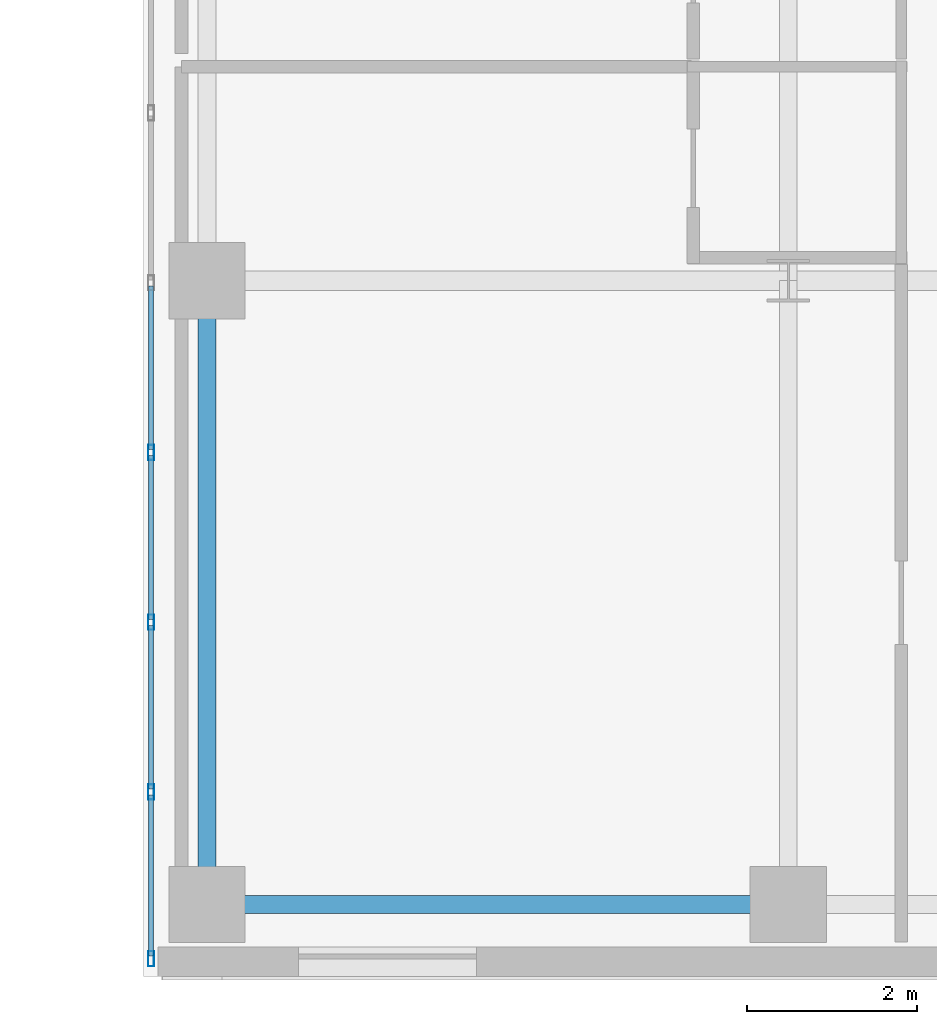
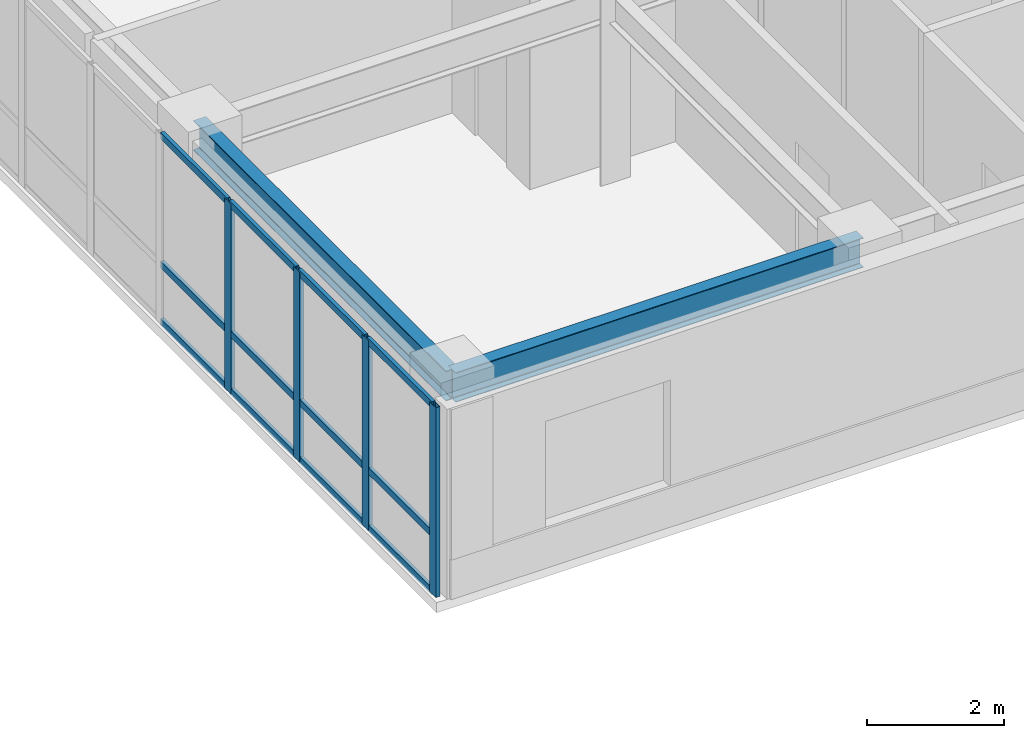
# One storey, part 7 of 24: 16 members, 2 beams, 1 element without a shape of its own.
"""IFC4 building model written with IfcOpenShell, lengths in metres."""

from ifc_helpers import new_model, si_unit, direction, frame, origin, origin_2d, place, context, subcontext, project, spatial, hollow_rectangle, i_section, extrude, source, transform, mapped, material, layer, layer_set, material_profile, profile_set, type_object, type_shapes, element, aggregate, save


model = new_model("IFC4")

# Units and contexts
model_context = context("Model", 3, precision=1e-05, world=origin(), true_north=direction((0.0, 1.0)))
body_context = subcontext(model_context, "Body", "Model", "MODEL_VIEW")
ifc_project = project(units=[si_unit("LENGTHUNIT", "METRE"), si_unit("AREAUNIT", "SQUARE_METRE"), si_unit("VOLUMEUNIT", "CUBIC_METRE"), si_unit("PLANEANGLEUNIT", "RADIAN"), si_unit("MASSUNIT", "GRAM", prefix="KILO")], contexts=[model_context])

# Site, building, storey
site_placement = place(None, origin())
site = spatial("IfcSite", under=ifc_project, at=site_placement, CompositionType="ELEMENT")
building_placement = place(site_placement, origin())
building = spatial("IfcBuilding", under=site, at=building_placement, Name="Tolvann Quenvar Hotel", CompositionType="ELEMENT")
storey_placement = place(building_placement, frame((0.0, 0.0, 139.949951171875)))
storey = spatial("IfcBuildingStorey", under=building, at=storey_placement, Name="L36", CompositionType="ELEMENT", Elevation=139.949951171875)

# Beams
ifc_material_1 = material(Name="Steel Grade 350", Category="steel")
ifc_material_profile_1 = material_profile(ifc_material_1, i_section(OverallWidth=0.208984375, OverallDepth=0.528076171875, WebThickness=0.009521484375, FlangeThickness=0.01318359375, FilletRadius=0.013916015625, at=origin_2d()), Name="530UB82")
ifc_profile_set_1 = profile_set([ifc_material_profile_1], Name="Steel Grade 350")
beam_type_1 = type_object("IfcBeamType", Name="BM_SPAND_530UB82", PredefinedType="SPANDREL", material=ifc_profile_set_1)
shared_shape_1 = source(origin(), body_context, "Body", "SweptSolid", [
    extrude(i_section(OverallWidth=0.208984375, OverallDepth=0.528076171875, WebThickness=0.009521484375, FlangeThickness=0.01318359375, FilletRadius=0.013916015625, at=origin_2d()), origin(), (0.0, 0.0, 1.0), 6.85009765625),
])
type_shapes(beam_type_1, [shared_shape_1])
beam_1_placement = place(storey_placement, frame((34.949951171875, 0.85009765625, 3.10595703125), z_axis=(1.0, 0.0, 0.0), x_axis=(0.0, 1.0, 0.0)))
element("IfcBeam", 1, at=beam_1_placement, inside=storey, type_object=beam_type_1, Name="BM-L36-EW-2-F2-H2", PredefinedType="SPANDREL", context=body_context, shape_type="MappedRepresentation", body=[
    mapped(shared_shape_1, transform((0.0, 0.0, 0.0), x_axis=(1.0, 0.0, 0.0), y_axis=(0.0, 1.0, 0.0), z_axis=(0.0, 0.0, 1.0), scale=1.0)),
])
ifc_material_profile_2 = material_profile(ifc_material_1, i_section(OverallWidth=0.208984375, OverallDepth=0.532958984375, WebThickness=0.01025390625, FlangeThickness=0.015625, FilletRadius=0.013916015625, at=origin_2d()), Name="530UB92")
ifc_profile_set_2 = profile_set([ifc_material_profile_2], Name="Steel Grade 350")
beam_type_2 = type_object("IfcBeamType", Name="BM_GIRD_530UB92", PredefinedType="BEAM", material=ifc_profile_set_2)
shared_shape_2 = source(origin(), body_context, "Body", "SweptSolid", [
    extrude(i_section(OverallWidth=0.208984375, OverallDepth=0.532958984375, WebThickness=0.01025390625, FlangeThickness=0.015625, FilletRadius=0.013916015625, at=origin_2d()), origin(), (0.0, 0.0, 1.0), 7.349853515625),
])
type_shapes(beam_type_2, [shared_shape_2])
beam_2_placement = place(storey_placement, frame((34.949951171875, 0.85009765625, 3.103515625), z_axis=(0.0, 1.0, 0.0), x_axis=(-1.0, 0.0, 0.0)))
element("IfcBeam", 2, at=beam_2_placement, inside=storey, type_object=beam_type_2, Name="BM-L36-NS-F2-F3", PredefinedType="BEAM", context=body_context, shape_type="MappedRepresentation", body=[
    mapped(shared_shape_2, transform((0.0, 0.0, 0.0), x_axis=(1.0, 0.0, 0.0), y_axis=(0.0, 1.0, 0.0), z_axis=(0.0, 0.0, 1.0), scale=1.0)),
])

# Curtain wall, members
ifc_material_2 = material(Name="Thermally broken anodised architectural aluminium 6063-T6 and laminated low-E glass", Category="aluminium")
ifc_layer = layer(ifc_material_2, 0.179931640625)
ifc_layer_set = layer_set([ifc_layer], Name="Thermally broken anodised architectural aluminium 6063-T6 and laminated low-E glass")
curtain_wall_type = type_object("IfcCurtainWallType", Name="CW_SYS_SLOT_03", PredefinedType="USERDEFINED", material=ifc_layer_set)
curtain_wall_placement = place(storey_placement, origin())
curtain_wall = element("IfcCurtainWall", 3, at=curtain_wall_placement, inside=storey, type_object=curtain_wall_type, Name="Curtain Wall CW-SLOT-03 (CWR-L36-E07)", ObjectType="UNITISED CURTAIN WALL", PredefinedType="USERDEFINED")
ifc_material_3 = material(Name="Anodised architectural aluminium 6063-T6 framing", Category="aluminium")
ifc_material_profile_3 = material_profile(ifc_material_3, hollow_rectangle(XDim=0.070068359375, YDim=0.179931640625, WallThickness=0.00390625, at=origin_2d()), Name="180x70x4RHS")
ifc_profile_set_3 = profile_set([ifc_material_profile_3], Name="Anodised architectural aluminium 6063-T6 framing")
member_type_1 = type_object("IfcMemberType", Name="CW_MULL_180x70", PredefinedType="MULLION", material=ifc_profile_set_3)
shared_shape_3 = source(origin(), body_context, "Body", "SweptSolid", [
    extrude(hollow_rectangle(XDim=0.070068359375, YDim=0.179931640625, WallThickness=0.00390625, at=origin_2d()), origin(), (0.0, 0.0, 1.0), 3.3701171875),
])
type_shapes(member_type_1, [shared_shape_3])
member_1_placement = place(storey_placement, frame((34.2900390625, 6.175048828125, 0.0), z_axis=(0.0, 0.0, 1.0), x_axis=(1.0, 0.0, 0.0)))
member_1 = element("IfcMember", 4, at=member_1_placement, type_object=member_type_1, Name="CW-SLOT-03 mullion 6", PredefinedType="MULLION", context=body_context, shape_type="MappedRepresentation", body=[
    mapped(shared_shape_3, transform((0.0, 0.0, 0.0), x_axis=(1.0, 0.0, 0.0), y_axis=(0.0, 1.0, 0.0), z_axis=(0.0, 0.0, 1.0), scale=1.0)),
])
member_2_placement = place(storey_placement, frame((34.2900390625, 4.175048828125, 0.0), z_axis=(0.0, 0.0, 1.0), x_axis=(1.0, 0.0, 0.0)))
member_2 = element("IfcMember", 5, at=member_2_placement, type_object=member_type_1, Name="CW-SLOT-03 mullion 7", PredefinedType="MULLION", context=body_context, shape_type="MappedRepresentation", body=[
    mapped(shared_shape_3, transform((0.0, 0.0, 0.0), x_axis=(1.0, 0.0, 0.0), y_axis=(0.0, 1.0, 0.0), z_axis=(0.0, 0.0, 1.0), scale=1.0)),
])
member_3_placement = place(storey_placement, frame((34.2900390625, 2.175048828125, 0.0), z_axis=(0.0, 0.0, 1.0), x_axis=(1.0, 0.0, 0.0)))
member_3 = element("IfcMember", 6, at=member_3_placement, type_object=member_type_1, Name="CW-SLOT-03 mullion 8", PredefinedType="MULLION", context=body_context, shape_type="MappedRepresentation", body=[
    mapped(shared_shape_3, transform((0.0, 0.0, 0.0), x_axis=(1.0, 0.0, 0.0), y_axis=(0.0, 1.0, 0.0), z_axis=(0.0, 0.0, 1.0), scale=1.0)),
])
member_4_placement = place(storey_placement, frame((34.2900390625, 0.2099609375, 0.0), z_axis=(0.0, 0.0, 1.0), x_axis=(1.0, 0.0, 0.0)))
member_4 = element("IfcMember", 7, at=member_4_placement, type_object=member_type_1, Name="CW-SLOT-03 mullion 9", PredefinedType="MULLION", context=body_context, shape_type="MappedRepresentation", body=[
    mapped(shared_shape_3, transform((0.0, 0.0, 0.0), x_axis=(1.0, 0.0, 0.0), y_axis=(0.0, 1.0, 0.0), z_axis=(0.0, 0.0, 1.0), scale=1.0)),
])
ifc_material_profile_4 = material_profile(ifc_material_3, hollow_rectangle(XDim=0.06005859375, YDim=0.1201171875, WallThickness=0.00341796875, at=origin_2d()), Name="120x60x3.5RHS")
ifc_profile_set_4 = profile_set([ifc_material_profile_4], Name="Anodised architectural aluminium 6063-T6 framing")
member_type_2 = type_object("IfcMemberType", Name="CW_TRAN_120x60", PredefinedType="USERDEFINED", material=ifc_profile_set_4)
shared_shape_4 = source(origin(), body_context, "Body", "SweptSolid", [
    extrude(hollow_rectangle(XDim=0.06005859375, YDim=0.1201171875, WallThickness=0.00341796875, at=origin_2d()), origin(), (0.0, 0.0, 1.0), 1.894775390625),
])
member_5_placement = place(storey_placement, frame((34.2900390625, 2.139892578125, 0.030029296875), z_axis=(0.0, -1.0, 0.0), x_axis=(1.0, 0.0, 0.0)))
member_5 = element("IfcMember", 8, at=member_5_placement, type_object=member_type_2, Name="CW-SLOT-03 transom 8.1", ObjectType="TRANSOM", PredefinedType="USERDEFINED", context=body_context, shape_type="MappedRepresentation", body=[
    mapped(shared_shape_4, transform((0.0, 0.0, 0.0), x_axis=(1.0, 0.0, 0.0), y_axis=(0.0, 1.0, 0.0), z_axis=(0.0, 0.0, 1.0), scale=1.0)),
])
member_6_placement = place(storey_placement, frame((34.2900390625, 2.139892578125, 1.050048828125), z_axis=(0.0, -1.0, 0.0), x_axis=(1.0, 0.0, 0.0)))
member_6 = element("IfcMember", 9, at=member_6_placement, type_object=member_type_2, Name="CW-SLOT-03 transom 8.2", ObjectType="TRANSOM", PredefinedType="USERDEFINED", context=body_context, shape_type="MappedRepresentation", body=[
    mapped(shared_shape_4, transform((0.0, 0.0, 0.0), x_axis=(1.0, 0.0, 0.0), y_axis=(0.0, 1.0, 0.0), z_axis=(0.0, 0.0, 1.0), scale=1.0)),
])
member_7_placement = place(storey_placement, frame((34.2900390625, 2.139892578125, 3.340087890625), z_axis=(0.0, -1.0, 0.0), x_axis=(1.0, 0.0, 0.0)))
member_7 = element("IfcMember", 10, at=member_7_placement, type_object=member_type_2, Name="CW-SLOT-03 transom 8.3", ObjectType="TRANSOM", PredefinedType="USERDEFINED", context=body_context, shape_type="MappedRepresentation", body=[
    mapped(shared_shape_4, transform((0.0, 0.0, 0.0), x_axis=(1.0, 0.0, 0.0), y_axis=(0.0, 1.0, 0.0), z_axis=(0.0, 0.0, 1.0), scale=1.0)),
])
shared_shape_5 = source(origin(), body_context, "Body", "SweptSolid", [
    extrude(hollow_rectangle(XDim=0.06005859375, YDim=0.1201171875, WallThickness=0.00341796875, at=origin_2d()), origin(), (0.0, 0.0, 1.0), 1.929931640625),
])
type_shapes(member_type_2, [shared_shape_4, shared_shape_5])
member_8_placement = place(storey_placement, frame((34.2900390625, 8.139892578125, 0.030029296875), z_axis=(0.0, -1.0, 0.0), x_axis=(1.0, 0.0, 0.0)))
member_8 = element("IfcMember", 11, at=member_8_placement, type_object=member_type_2, Name="CW-SLOT-03 transom 5.1", ObjectType="TRANSOM", PredefinedType="USERDEFINED", context=body_context, shape_type="MappedRepresentation", body=[
    mapped(shared_shape_5, transform((0.0, 0.0, 0.0), x_axis=(1.0, 0.0, 0.0), y_axis=(0.0, 1.0, 0.0), z_axis=(0.0, 0.0, 1.0), scale=1.0)),
])
member_9_placement = place(storey_placement, frame((34.2900390625, 8.139892578125, 1.050048828125), z_axis=(0.0, -1.0, 0.0), x_axis=(1.0, 0.0, 0.0)))
member_9 = element("IfcMember", 12, at=member_9_placement, type_object=member_type_2, Name="CW-SLOT-03 transom 5.2", ObjectType="TRANSOM", PredefinedType="USERDEFINED", context=body_context, shape_type="MappedRepresentation", body=[
    mapped(shared_shape_5, transform((0.0, 0.0, 0.0), x_axis=(1.0, 0.0, 0.0), y_axis=(0.0, 1.0, 0.0), z_axis=(0.0, 0.0, 1.0), scale=1.0)),
])
member_10_placement = place(storey_placement, frame((34.2900390625, 8.139892578125, 3.340087890625), z_axis=(0.0, -1.0, 0.0), x_axis=(1.0, 0.0, 0.0)))
member_10 = element("IfcMember", 13, at=member_10_placement, type_object=member_type_2, Name="CW-SLOT-03 transom 5.3", ObjectType="TRANSOM", PredefinedType="USERDEFINED", context=body_context, shape_type="MappedRepresentation", body=[
    mapped(shared_shape_5, transform((0.0, 0.0, 0.0), x_axis=(1.0, 0.0, 0.0), y_axis=(0.0, 1.0, 0.0), z_axis=(0.0, 0.0, 1.0), scale=1.0)),
])
member_11_placement = place(storey_placement, frame((34.2900390625, 6.139892578125, 0.030029296875), z_axis=(0.0, -1.0, 0.0), x_axis=(1.0, 0.0, 0.0)))
member_11 = element("IfcMember", 14, at=member_11_placement, type_object=member_type_2, Name="CW-SLOT-03 transom 6.1", ObjectType="TRANSOM", PredefinedType="USERDEFINED", context=body_context, shape_type="MappedRepresentation", body=[
    mapped(shared_shape_5, transform((0.0, 0.0, 0.0), x_axis=(1.0, 0.0, 0.0), y_axis=(0.0, 1.0, 0.0), z_axis=(0.0, 0.0, 1.0), scale=1.0)),
])
member_12_placement = place(storey_placement, frame((34.2900390625, 6.139892578125, 1.050048828125), z_axis=(0.0, -1.0, 0.0), x_axis=(1.0, 0.0, 0.0)))
member_12 = element("IfcMember", 15, at=member_12_placement, type_object=member_type_2, Name="CW-SLOT-03 transom 6.2", ObjectType="TRANSOM", PredefinedType="USERDEFINED", context=body_context, shape_type="MappedRepresentation", body=[
    mapped(shared_shape_5, transform((0.0, 0.0, 0.0), x_axis=(1.0, 0.0, 0.0), y_axis=(0.0, 1.0, 0.0), z_axis=(0.0, 0.0, 1.0), scale=1.0)),
])
member_13_placement = place(storey_placement, frame((34.2900390625, 6.139892578125, 3.340087890625), z_axis=(0.0, -1.0, 0.0), x_axis=(1.0, 0.0, 0.0)))
member_13 = element("IfcMember", 16, at=member_13_placement, type_object=member_type_2, Name="CW-SLOT-03 transom 6.3", ObjectType="TRANSOM", PredefinedType="USERDEFINED", context=body_context, shape_type="MappedRepresentation", body=[
    mapped(shared_shape_5, transform((0.0, 0.0, 0.0), x_axis=(1.0, 0.0, 0.0), y_axis=(0.0, 1.0, 0.0), z_axis=(0.0, 0.0, 1.0), scale=1.0)),
])
member_14_placement = place(storey_placement, frame((34.2900390625, 4.139892578125, 0.030029296875), z_axis=(0.0, -1.0, 0.0), x_axis=(1.0, 0.0, 0.0)))
member_14 = element("IfcMember", 17, at=member_14_placement, type_object=member_type_2, Name="CW-SLOT-03 transom 7.1", ObjectType="TRANSOM", PredefinedType="USERDEFINED", context=body_context, shape_type="MappedRepresentation", body=[
    mapped(shared_shape_5, transform((0.0, 0.0, 0.0), x_axis=(1.0, 0.0, 0.0), y_axis=(0.0, 1.0, 0.0), z_axis=(0.0, 0.0, 1.0), scale=1.0)),
])
member_15_placement = place(storey_placement, frame((34.2900390625, 4.139892578125, 1.050048828125), z_axis=(0.0, -1.0, 0.0), x_axis=(1.0, 0.0, 0.0)))
member_15 = element("IfcMember", 18, at=member_15_placement, type_object=member_type_2, Name="CW-SLOT-03 transom 7.2", ObjectType="TRANSOM", PredefinedType="USERDEFINED", context=body_context, shape_type="MappedRepresentation", body=[
    mapped(shared_shape_5, transform((0.0, 0.0, 0.0), x_axis=(1.0, 0.0, 0.0), y_axis=(0.0, 1.0, 0.0), z_axis=(0.0, 0.0, 1.0), scale=1.0)),
])
member_16_placement = place(storey_placement, frame((34.2900390625, 4.139892578125, 3.340087890625), z_axis=(0.0, -1.0, 0.0), x_axis=(1.0, 0.0, 0.0)))
member_16 = element("IfcMember", 19, at=member_16_placement, type_object=member_type_2, Name="CW-SLOT-03 transom 7.3", ObjectType="TRANSOM", PredefinedType="USERDEFINED", context=body_context, shape_type="MappedRepresentation", body=[
    mapped(shared_shape_5, transform((0.0, 0.0, 0.0), x_axis=(1.0, 0.0, 0.0), y_axis=(0.0, 1.0, 0.0), z_axis=(0.0, 0.0, 1.0), scale=1.0)),
])
aggregate(curtain_wall, [member_1, member_2, member_3, member_4, member_8, member_9, member_10, member_11, member_12, member_13, member_14, member_15, member_16, member_5, member_6, member_7])

save(model, "model.ifc")
